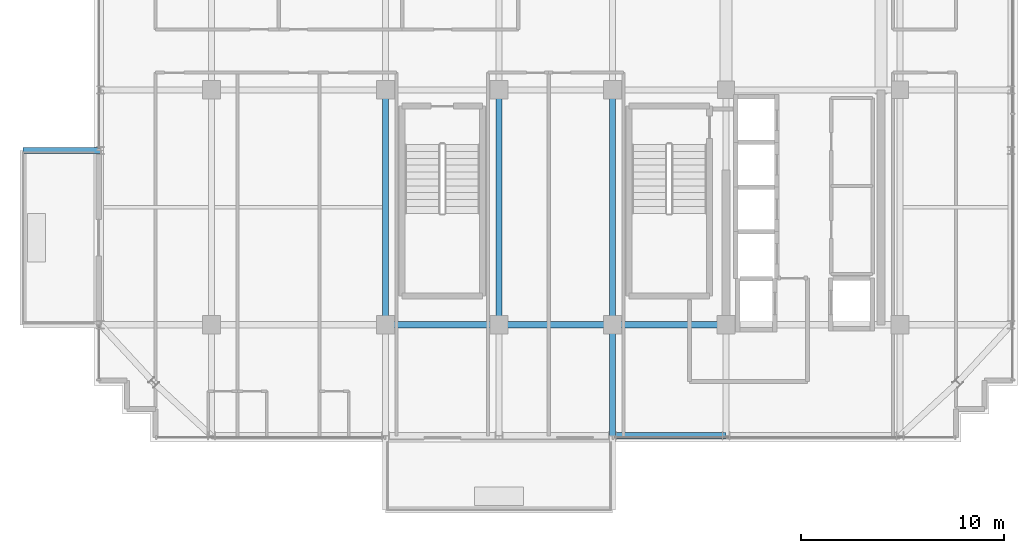
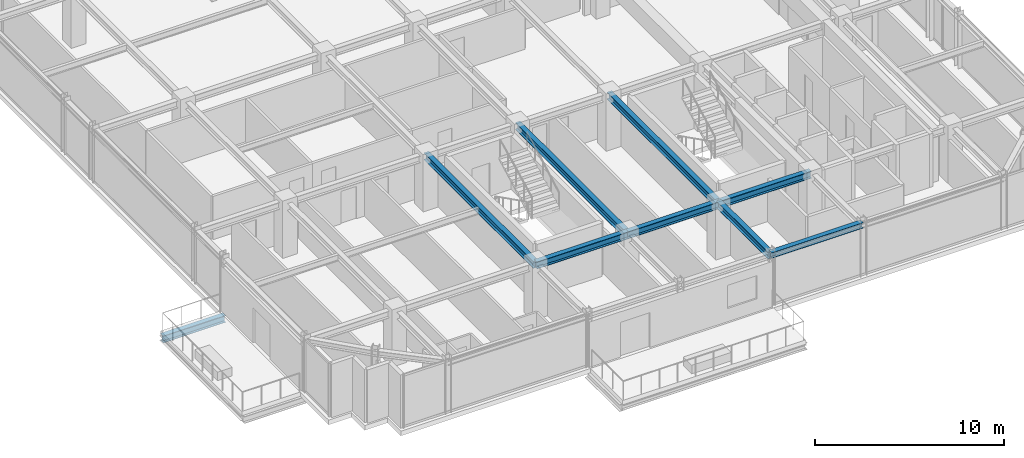
# One storey, part 8 of 31: 9 beams.
"""IFC4 building model written with IfcOpenShell, lengths in metres."""

import ifcopenshell
import ifcopenshell.guid

model = None  # the IFC model being written
_history = None  # IfcOwnerHistory: only IFC2X3 demands one
_inside = {}  # id of a spatial element -> (the spatial element, [elements in it])
_under = {}  # id of a project, library or spatial element -> (it, [spatial elements below it])
_declared = {}  # id of a project -> (the project, [libraries it declares])
_typed = {}  # id of a type object -> (the type object, [elements of that type])
_made_of = {}  # id of a material, layer set ... -> (it, [elements and type objects made of it])


def new_model(schema):
    """Start an empty IFC model of exactly this schema.

    Asked for "IFC4X3", IfcOpenShell would pick the latest addendum, in which some entities
    have other attributes; the version numbers below select the first issue.
    IFC2X3 requires an IfcOwnerHistory on every rooted entity: one is made here for all.
    """
    global model, _history
    if schema == "IFC4X3":
        model = ifcopenshell.file(schema_version=(4, 3, 0, 0))
    else:
        model = ifcopenshell.file(schema=schema)
    _inside.clear()
    _under.clear()
    _declared.clear()
    _typed.clear()
    _made_of.clear()
    _history = None
    if model.schema == "IFC2X3":
        org = make("IfcOrganization", Name="unknown")
        user = make(
            "IfcPersonAndOrganization",
            ThePerson=make("IfcPerson", FamilyName="unknown"),
            TheOrganization=org,
        )
        app = make(
            "IfcApplication",
            ApplicationDeveloper=org,
            Version="unknown",
            ApplicationFullName="unknown",
            ApplicationIdentifier="unknown",
        )
        _history = make(
            "IfcOwnerHistory",
            OwningUser=user,
            OwningApplication=app,
            ChangeAction="ADDED",
            CreationDate=0,
        )
    return model


def make(cls, **values):
    """One entity of the class cls with the attributes given. An attribute that is None is left unset."""
    return model.create_entity(
        cls, **{name: value for name, value in values.items() if value is not None}
    )


def rooted(cls, **values):
    """An entity with a GlobalId (a new one), such as an element, a storey or a relation."""
    return make(cls, GlobalId=ifcopenshell.guid.new(), OwnerHistory=_history, **values)


def si_unit(unit_type, name, prefix=None):
    """IfcSIUnit, for example si_unit("LENGTHUNIT", "METRE", prefix="MILLI")."""
    return make("IfcSIUnit", UnitType=unit_type, Prefix=prefix, Name=name)


def assignment(units):
    """IfcUnitAssignment: the units of a project."""
    return None if units is None else make("IfcUnitAssignment", Units=units)


def point(xyz):
    """IfcCartesianPoint."""
    return None if xyz is None else make("IfcCartesianPoint", Coordinates=xyz)


def direction(xyz):
    """IfcDirection."""
    return None if xyz is None else make("IfcDirection", DirectionRatios=xyz)


def frame(location, z_axis=None, x_axis=None):
    """IfcAxis2Placement3D, a coordinate frame: its origin and axes. An axis left out is left unset."""
    return make(
        "IfcAxis2Placement3D",
        Location=point(location),
        Axis=direction(z_axis),
        RefDirection=direction(x_axis),
    )


def frame_2d(location, x_axis=None):
    """IfcAxis2Placement2D, a coordinate frame in the plane: its origin and x axis."""
    return make(
        "IfcAxis2Placement2D", Location=point(location), RefDirection=direction(x_axis)
    )


def origin():
    """The frame at (0, 0, 0) with its axes left unset."""
    return frame((0.0, 0.0, 0.0))


def origin_2d():
    """The frame at (0, 0) in the plane with its x axis left unset."""
    return frame_2d((0.0, 0.0))


def place(relative_to, where):
    """IfcLocalPlacement: puts the frame where relative to a parent placement (None: the world)."""
    return make(
        "IfcLocalPlacement", PlacementRelTo=relative_to, RelativePlacement=where
    )


def context(
    kind, dimensions, precision=None, world=None, true_north=None, identifier=None
):
    """IfcGeometricRepresentationContext, for example the 3D "Model" context."""
    return make(
        "IfcGeometricRepresentationContext",
        ContextIdentifier=identifier,
        ContextType=kind,
        CoordinateSpaceDimension=dimensions,
        Precision=precision,
        WorldCoordinateSystem=world,
        TrueNorth=true_north,
    )


def subcontext(parent, identifier, kind, view, scale=None):
    """IfcGeometricRepresentationSubContext, for example "Body" below "Model"."""
    return make(
        "IfcGeometricRepresentationSubContext",
        ContextIdentifier=identifier,
        ContextType=kind,
        ParentContext=parent,
        TargetScale=scale,
        TargetView=view,
    )


def project(units=None, contexts=None):
    """IfcProject with its units and contexts."""
    return rooted(
        "IfcProject",
        Name="project",
        RepresentationContexts=contexts,
        UnitsInContext=assignment(units),
    )


def spatial(cls, under=None, at=None, **own):
    """A site, building, storey or space (cls), placed at a placement, below another one or the project."""
    s = rooted(cls, ObjectPlacement=at, **own)
    if under is not None:
        _under.setdefault(under.id(), (under, []))[1].append(s)
    return s


def profile(cls, at=None, kind="AREA", **sizes):
    """A parametric profile (cls). Its sizes go by their IFC names, for example OverallWidth=200.0."""
    return make(cls, ProfileType=kind, Position=at, **sizes)


def i_section(**sizes):
    """IfcIShapeProfileDef."""
    return profile("IfcIShapeProfileDef", **sizes)


def extrude(swept, where, along, depth):
    """IfcExtrudedAreaSolid: the profile swept, set in the frame where, extruded along a direction by depth."""
    return make(
        "IfcExtrudedAreaSolid",
        SweptArea=swept,
        Position=where,
        ExtrudedDirection=direction(along),
        Depth=depth,
    )


def shape(context_of_items, identifier, shape_type, items):
    """IfcShapeRepresentation: the items that make up one representation, for example the "Body"."""
    return make(
        "IfcShapeRepresentation",
        ContextOfItems=context_of_items,
        RepresentationIdentifier=identifier,
        RepresentationType=shape_type,
        Items=items,
    )


def source(mapping_origin, context_of_items, identifier, shape_type, items):
    """IfcRepresentationMap: a shape defined once, which mapped items show again and again."""
    return make(
        "IfcRepresentationMap",
        MappingOrigin=mapping_origin,
        MappedRepresentation=shape(context_of_items, identifier, shape_type, items),
    )


def transform(
    local_origin,
    x_axis=None,
    y_axis=None,
    z_axis=None,
    scale=None,
    scale2=None,
    scale3=None,
    uniform=True,
):
    """IfcCartesianTransformationOperator3D, or its non-uniform kind. x_axis, y_axis, z_axis: its Axis1, 2, 3."""
    if uniform:
        return make(
            "IfcCartesianTransformationOperator3D",
            Axis1=direction(x_axis),
            Axis2=direction(y_axis),
            LocalOrigin=point(local_origin),
            Scale=scale,
            Axis3=direction(z_axis),
        )
    return make(
        "IfcCartesianTransformationOperator3DnonUniform",
        Axis1=direction(x_axis),
        Axis2=direction(y_axis),
        LocalOrigin=point(local_origin),
        Scale=scale,
        Axis3=direction(z_axis),
        Scale2=scale2,
        Scale3=scale3,
    )


def mapped(mapping_source, mapping_target):
    """IfcMappedItem: shows the shape of a source again, moved by a transform."""
    return make(
        "IfcMappedItem", MappingSource=mapping_source, MappingTarget=mapping_target
    )


def material(Name=None, Category=None):
    """IfcMaterial."""
    return make("IfcMaterial", Name=Name, Category=Category)


def material_profile(
    of_material, cross_section, Name=None, Category=None, Priority=None
):
    """IfcMaterialProfile: a cross section and its material."""
    return make(
        "IfcMaterialProfile",
        Name=Name,
        Material=of_material,
        Profile=cross_section,
        Priority=Priority,
        Category=Category,
    )


def profile_set(profiles, Name=None, composite=None):
    """IfcMaterialProfileSet."""
    return make(
        "IfcMaterialProfileSet",
        Name=Name,
        MaterialProfiles=profiles,
        CompositeProfile=composite,
    )


def made_of(thing, what):
    """Note that an element or type object is made of a material, layer set ...; save() writes the relation."""
    if what is not None:
        _made_of.setdefault(what.id(), (what, []))[1].append(thing)
    return thing


def type_object(cls, material=None, **own):
    """A type object (cls), such as IfcWallType, which elements share."""
    return made_of(rooted(cls, **own), material)


def element(
    cls,
    number,
    at=None,
    inside=None,
    cuts=None,
    type_object=None,
    material=None,
    context=None,
    identifier="Body",
    shape_type=None,
    held_by="IfcProductDefinitionShape",
    body=None,
    shapes=None,
    **own,
):
    """One element of the class cls, such as IfcWall. Its Tag is "e" and its number.

    at: its placement. inside: the storey or other place that contains it. cuts: it is an
    opening in that element (IfcRelVoidsElement). A single representation is given by context,
    identifier, shape_type and body (its items); several are given by shapes. held_by: the class
    of the entity that holds the representations. save() writes the other relations.
    """
    e = rooted(cls, Tag="e%d" % number, ObjectPlacement=at, **own)
    if body is not None:
        shapes = [shape(context, identifier, shape_type, body)]
    if shapes is not None:
        e.Representation = make(held_by, Representations=shapes)
    if inside is not None:
        _inside.setdefault(inside.id(), (inside, []))[1].append(e)
    if cuts is not None:
        rooted(
            "IfcRelVoidsElement", RelatingBuildingElement=cuts, RelatedOpeningElement=e
        )
    if type_object is not None:
        _typed.setdefault(type_object.id(), (type_object, []))[1].append(e)
    return made_of(e, material)


def aggregate(whole, parts):
    """IfcRelAggregates: a whole, such as a stair, and the parts it consists of."""
    return rooted("IfcRelAggregates", RelatingObject=whole, RelatedObjects=parts)


def save(model, path):
    """Write the relations noted so far, then the file.

    IfcRelAggregates (storeys below a building ...), IfcRelContainedInSpatialStructure (elements
    in a storey), IfcRelDefinesByType, IfcRelAssociatesMaterial and IfcRelDeclares: one each for
    every whole, place, type object, material and project.
    """
    for whole, parts in _under.values():
        aggregate(whole, parts)
    for where, things in _inside.values():
        rooted(
            "IfcRelContainedInSpatialStructure",
            RelatedElements=things,
            RelatingStructure=where,
        )
    for kind, things in _typed.values():
        rooted("IfcRelDefinesByType", RelatedObjects=things, RelatingType=kind)
    for what, things in _made_of.values():
        rooted("IfcRelAssociatesMaterial", RelatedObjects=things, RelatingMaterial=what)
    for by, libraries in _declared.values():
        rooted("IfcRelDeclares", RelatingContext=by, RelatedDefinitions=libraries)
    model.write(path)


model = new_model("IFC4")

# Units and contexts
model_context = context("Model", 3, precision=1e-05, world=origin(), true_north=direction((0.0, 1.0)))
body_context = subcontext(model_context, "Body", "Model", "MODEL_VIEW")
ifc_project = project(units=[si_unit("LENGTHUNIT", "METRE"), si_unit("AREAUNIT", "SQUARE_METRE"), si_unit("VOLUMEUNIT", "CUBIC_METRE"), si_unit("PLANEANGLEUNIT", "RADIAN"), si_unit("MASSUNIT", "GRAM", prefix="KILO")], contexts=[model_context])

# Site, building, storey
site_placement = place(None, origin())
site = spatial("IfcSite", under=ifc_project, at=site_placement, CompositionType="ELEMENT")
building_placement = place(site_placement, origin())
building = spatial("IfcBuilding", under=site, at=building_placement, Name="Nahalor Promenade Grand Hotel", CompositionType="ELEMENT")
storey_placement = place(building_placement, frame((0.0, 0.0, 277.550048828125)))
storey = spatial("IfcBuildingStorey", under=building, at=storey_placement, Name="L71", CompositionType="ELEMENT", Elevation=277.550048828125)

# Beams
ifc_material = material(Name="Steel S355JR", Category="steel")
ifc_material_profile_1 = material_profile(ifc_material, i_section(OverallWidth=0.3, OverallDepth=0.45, WebThickness=0.014, FlangeThickness=0.026, at=origin_2d()), Name="HEB 450")
ifc_profile_set_1 = profile_set([ifc_material_profile_1], Name="Steel S355JR")
beam_type_1 = type_object("IfcBeamType", Name="Beam-Outrigger-HEB450", PredefinedType="BEAM", material=ifc_profile_set_1)
shared_shape_1 = source(origin(), body_context, "Body", "SweptSolid", [
    extrude(i_section(OverallWidth=0.3, OverallDepth=0.45, WebThickness=0.014, FlangeThickness=0.026, at=origin_2d()), origin(), (0.0, 0.0, 1.0), 3.820068359375),
])
beam_1_placement = place(storey_placement, frame((-26.300048828125, -8.39990234375, -0.505126953125), z_axis=(1.0, 0.0, 0.0), x_axis=(0.0, 1.0, 0.0)))
element("IfcBeam", 1, at=beam_1_placement, inside=storey, type_object=beam_type_1, Name="BM-L71-BC-02-2", PredefinedType="BEAM", context=body_context, shape_type="MappedRepresentation", body=[
    mapped(shared_shape_1, transform((0.0, 0.0, 0.0), scale=1.0)),
])
ifc_material_profile_2 = material_profile(ifc_material, i_section(OverallWidth=0.3, OverallDepth=0.45, WebThickness=0.014, FlangeThickness=0.026, at=origin_2d()), Name="HEB 450")
ifc_profile_set_2 = profile_set([ifc_material_profile_2], Name="Steel S355JR")
beam_type_2 = type_object("IfcBeamType", Name="Beam-Girder-HEB450", PredefinedType="BEAM", material=ifc_profile_set_2)
shared_shape_2 = source(origin(), body_context, "Body", "SweptSolid", [
    extrude(i_section(OverallWidth=0.3, OverallDepth=0.45, WebThickness=0.014, FlangeThickness=0.026, at=origin_2d()), origin(), (0.0, 0.0, 1.0), 5.599853515625),
])
for number, where, z_axis, x_axis, name in (
    (2, (-8.39990234375, -17.0, 3.224853515625), (1.0, 0.0, 0.0), (0.0, 1.0, 0.0), "BM-L71-GX-0-2"),
    (3, (2.800048828125, -17.0, 3.224853515625), (1.0, 0.0, 0.0), (0.0, 1.0, 0.0), "BM-L71-GX-0-4"),
):
    element("IfcBeam", number, at=place(storey_placement, frame(where, z_axis=z_axis, x_axis=x_axis)), inside=storey, type_object=beam_type_2, Name=name, PredefinedType="BEAM", context=body_context, shape_type="MappedRepresentation", body=[
        mapped(shared_shape_2, transform((0.0, 0.0, 0.0), scale=1.0)),
    ])
shared_shape_3 = source(origin(), body_context, "Body", "SweptSolid", [
    extrude(i_section(OverallWidth=0.3, OverallDepth=0.45, WebThickness=0.014, FlangeThickness=0.026, at=origin_2d()), origin(), (0.0, 0.0, 1.0), 5.60009765625),
])
beam_2_placement = place(storey_placement, frame((-2.800048828125, -17.0, 3.224853515625), z_axis=(1.0, 0.0, 0.0), x_axis=(0.0, 1.0, 0.0)))
element("IfcBeam", 4, at=beam_2_placement, inside=storey, type_object=beam_type_2, Name="BM-L71-GX-0-3", PredefinedType="BEAM", context=body_context, shape_type="MappedRepresentation", body=[
    mapped(shared_shape_3, transform((0.0, 0.0, 0.0), scale=1.0)),
])
shared_shape_4 = source(origin(), body_context, "Body", "SweptSolid", [
    extrude(i_section(OverallWidth=0.3, OverallDepth=0.45, WebThickness=0.014, FlangeThickness=0.026, at=origin_2d()), origin(), (0.0, 0.0, 1.0), 11.60009765625),
])
for number, where, z_axis, x_axis, name in (
    (5, (-8.39990234375, -17.0, 3.224853515625), (0.0, 1.0, 0.0), (-1.0, 0.0, 0.0), "BM-L71-GY-1-1"),
    (6, (-2.800048828125, -17.0, 3.224853515625), (0.0, 1.0, 0.0), (-1.0, 0.0, 0.0), "BM-L71-GY-2-1"),
    (7, (2.800048828125, -17.0, 3.224853515625), (0.0, 1.0, 0.0), (-1.0, 0.0, 0.0), "BM-L71-GY-3-1"),
):
    element("IfcBeam", number, at=place(storey_placement, frame(where, z_axis=z_axis, x_axis=x_axis)), inside=storey, type_object=beam_type_2, Name=name, PredefinedType="BEAM", context=body_context, shape_type="MappedRepresentation", body=[
        mapped(shared_shape_4, transform((0.0, 0.0, 0.0), scale=1.0)),
    ])
shared_shape_5 = source(origin(), body_context, "Body", "SweptSolid", [
    extrude(i_section(OverallWidth=0.3, OverallDepth=0.45, WebThickness=0.014, FlangeThickness=0.026, at=origin_2d()), origin(), (0.0, 0.0, 1.0), 5.47998046875),
])
beam_3_placement = place(storey_placement, frame((2.800048828125, -22.47998046875, 3.224853515625), z_axis=(0.0, 1.0, 0.0), x_axis=(-1.0, 0.0, 0.0)))
element("IfcBeam", 8, at=beam_3_placement, inside=storey, type_object=beam_type_2, Name="BM-L71-GY-3-0", PredefinedType="BEAM", context=body_context, shape_type="MappedRepresentation", body=[
    mapped(shared_shape_5, transform((0.0, 0.0, 0.0), scale=1.0)),
])
ifc_material_profile_3 = material_profile(ifc_material, i_section(OverallWidth=0.3, OverallDepth=0.36, WebThickness=0.0125, FlangeThickness=0.0225, at=origin_2d()), Name="HEB 360")
ifc_profile_set_3 = profile_set([ifc_material_profile_3], Name="Steel S355JR")
beam_type_3 = type_object("IfcBeamType", Name="Beam-Spandrel-HEB360", PredefinedType="SPANDREL", material=ifc_profile_set_3)
shared_shape_6 = source(origin(), body_context, "Body", "SweptSolid", [
    extrude(i_section(OverallWidth=0.3, OverallDepth=0.36, WebThickness=0.0125, FlangeThickness=0.0225, at=origin_2d()), origin(), (0.0, 0.0, 1.0), 5.599853515625),
])
beam_4_placement = place(storey_placement, frame((2.800048828125, -22.47998046875, 3.27001953125), z_axis=(1.0, 0.0, 0.0), x_axis=(0.0, 1.0, 0.0)))
element("IfcBeam", 9, at=beam_4_placement, inside=storey, type_object=beam_type_3, Name="BM-L71-SP-S-3", PredefinedType="SPANDREL", context=body_context, shape_type="MappedRepresentation", body=[
    mapped(shared_shape_6, transform((0.0, 0.0, 0.0), scale=1.0)),
])

save(model, "model.ifc")
